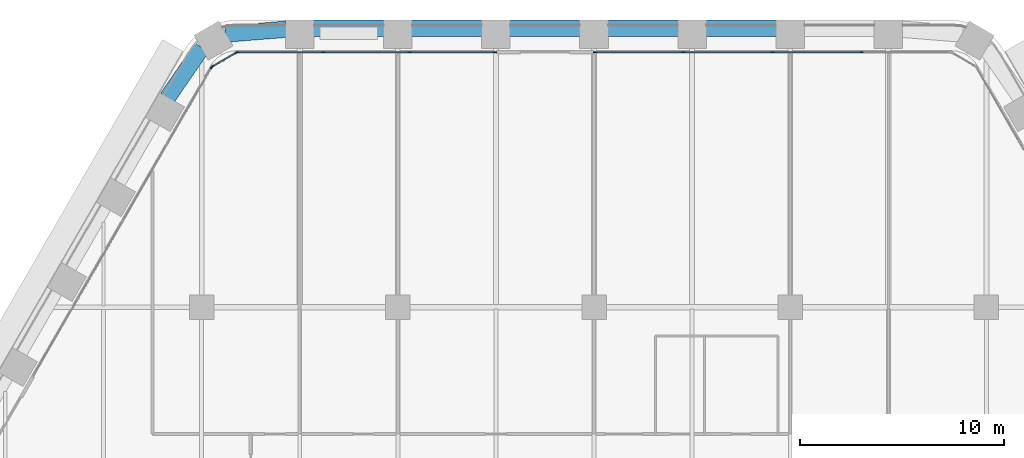
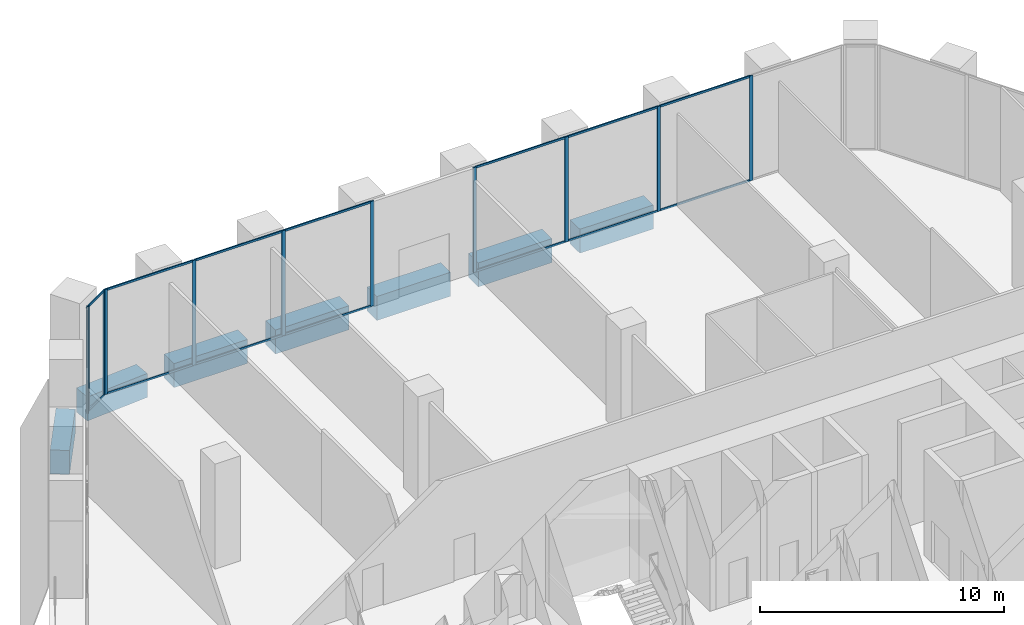
# One storey, part 13 of 27: 25 members, 7 beams, 4 elements without a shape of their own.
"""IFC4 building model written with IfcOpenShell, lengths in metres."""

from ifc_helpers import new_model, si_unit, direction, frame, origin, origin_2d, place, context, subcontext, project, spatial, rectangle, extrude, material, material_profile, profile_set, type_object, element, aggregate, save


model = new_model("IFC4")

# Units and contexts
model_context = context("Model", 3, precision=1e-05, world=origin(), true_north=direction((0.0, 1.0)))
body_context = subcontext(model_context, "Body", "Model", "MODEL_VIEW")
ifc_project = project(units=[si_unit("LENGTHUNIT", "METRE"), si_unit("AREAUNIT", "SQUARE_METRE"), si_unit("VOLUMEUNIT", "CUBIC_METRE"), si_unit("PLANEANGLEUNIT", "RADIAN"), si_unit("MASSUNIT", "GRAM", prefix="KILO")], contexts=[model_context])

# Site, building, storey
site_placement = place(None, origin())
site = spatial("IfcSite", under=ifc_project, at=site_placement, CompositionType="ELEMENT")
building_placement = place(site_placement, origin())
building = spatial("IfcBuilding", under=site, at=building_placement, Name="Kolab Exchange Tower", CompositionType="ELEMENT")
storey_placement = place(building_placement, frame((0.0, 0.0, 22.39990234375)))
storey = spatial("IfcBuildingStorey", under=building, at=storey_placement, Name="L04", CompositionType="ELEMENT", Elevation=22.39990234375)

# Beams
ifc_material_1 = material(Name="Concrete C80/95", Category="concrete")
ifc_material_profile_1 = material_profile(ifc_material_1, rectangle(XDim=0.800048828125, YDim=1.199951171875, at=origin_2d()), Name="RC800X1200")
ifc_profile_set_1 = profile_set([ifc_material_profile_1], Name="Concrete C80/95")
beam_type = type_object("IfcBeamType", Name="SPANDREL BEAM 800X1200 C80/95", PredefinedType="BEAM", material=ifc_profile_set_1)
beam_1_placement = place(storey_placement, frame((-18.03515625, 32.5654296875, -0.849853515625), z_axis=(0.996833978278, 0.07951112973, 0.0), x_axis=(-0.07951112973, 0.996833978278, 0.0)))
element("IfcBeam", 1, at=beam_1_placement, inside=storey, type_object=beam_type, Name="beam/L04/sp/F1-01", PredefinedType="BEAM", context=body_context, shape_type="SweptSolid", body=[
    extrude(rectangle(XDim=0.800048828125, YDim=1.199951171875, at=origin_2d()), origin(), (0.0, 0.0, 1.0), 2.984619140625),
])
for number, where, z_axis, x_axis, name in (
    (2, (-13.739990234375, 32.85546875, -0.849853515625), (1.0, 0.0, 0.0), (0.0, 1.0, 0.0), "beam/L04/sp/F1-02"),
    (3, (-8.93994140625, 32.85546875, -0.849853515625), (1.0, 0.0, 0.0), (0.0, 1.0, 0.0), "beam/L04/sp/F1-03"),
    (4, (-4.139892578125, 32.85546875, -0.849853515625), (1.0, 0.0, 0.0), (0.0, 1.0, 0.0), "beam/L04/sp/F1-04"),
    (5, (0.659912109375, 32.85546875, -0.849853515625), (1.0, 0.0, 0.0), (0.0, 1.0, 0.0), "beam/L04/sp/F1-05"),
    (6, (5.4599609375, 32.85546875, -0.849853515625), (1.0, 0.0, 0.0), (0.0, 1.0, 0.0), "beam/L04/sp/F1-06"),
):
    element("IfcBeam", number, at=place(storey_placement, frame(where, z_axis=z_axis, x_axis=x_axis)), inside=storey, type_object=beam_type, Name=name, PredefinedType="BEAM", context=body_context, shape_type="SweptSolid", body=[
        extrude(rectangle(XDim=0.800048828125, YDim=1.199951171875, at=origin_2d()), origin(), (0.0, 0.0, 1.0), 3.47998046875),
    ])
beam_2_placement = place(storey_placement, frame((-20.8779296875, 29.44384765625, -0.849853515625), z_axis=(0.567247290755, 0.823547516013, 0.0), x_axis=(-0.823547516013, 0.567247290755, 0.0)))
element("IfcBeam", 7, at=beam_2_placement, inside=storey, type_object=beam_type, Name="beam/L04/sp/F6-08", PredefinedType="BEAM", context=body_context, shape_type="SweptSolid", body=[
    extrude(rectangle(XDim=0.800048828125, YDim=1.199951171875, at=origin_2d()), origin(), (0.0, 0.0, 1.0), 2.984375),
])

# Curtain wall, members
ifc_material_2 = material(Name="Aluminium EN AW-6063 T6", Category="aluminium")
curtain_wall_type = type_object("IfcCurtainWallType", Name="UNITISED LOW ZONE CURTAIN WALL", PredefinedType="NOTDEFINED", material=ifc_material_2)
curtain_wall_1_placement = place(storey_placement, origin())
curtain_wall_1 = element("IfcCurtainWall", 8, at=curtain_wall_1_placement, inside=storey, type_object=curtain_wall_type, Name="cw/L04/F1-1", PredefinedType="NOTDEFINED")
ifc_material_profile_2 = material_profile(ifc_material_2, rectangle(XDim=0.06005859375, YDim=0.159912109375, at=origin_2d()), Name="RECT 60X160")
ifc_profile_set_2 = profile_set([ifc_material_profile_2], Name="Aluminium EN AW-6063 T6")
member_type_1 = type_object("IfcMemberType", Name="UNITISED LOW ZONE MULLION 60 X 160", PredefinedType="MULLION", material=ifc_profile_set_2)
member_1_placement = place(storey_placement, frame((-17.43798828125, 31.67529296875, 0.0), z_axis=(0.0, 0.0, 1.0), x_axis=(0.0, 1.0, 0.0)))
member_1 = element("IfcMember", 9, at=member_1_placement, type_object=member_type_1, Name="CW1 mullion 1", PredefinedType="MULLION", context=body_context, shape_type="SweptSolid", body=[
    extrude(rectangle(XDim=0.06005859375, YDim=0.159912109375, at=origin_2d()), origin(), (0.0, 0.0, 1.0), 5.25),
])
member_2_placement = place(storey_placement, frame((-13.245361328125, 31.67529296875, 0.0), z_axis=(0.0, 0.0, 1.0), x_axis=(0.0, 1.0, 0.0)))
member_2 = element("IfcMember", 10, at=member_2_placement, type_object=member_type_1, Name="CW1 mullion 2", PredefinedType="MULLION", context=body_context, shape_type="SweptSolid", body=[
    extrude(rectangle(XDim=0.06005859375, YDim=0.159912109375, at=origin_2d()), origin(), (0.0, 0.0, 1.0), 5.25),
])
member_3_placement = place(storey_placement, frame((-9.022705078125, 31.67529296875, 0.0), z_axis=(0.0, 0.0, 1.0), x_axis=(0.0, 1.0, 0.0)))
member_3 = element("IfcMember", 11, at=member_3_placement, type_object=member_type_1, Name="CW1 mullion 3", PredefinedType="MULLION", context=body_context, shape_type="SweptSolid", body=[
    extrude(rectangle(XDim=0.06005859375, YDim=0.159912109375, at=origin_2d()), origin(), (0.0, 0.0, 1.0), 5.25),
])
member_4_placement = place(storey_placement, frame((-4.830078125, 31.67529296875, 0.0), z_axis=(0.0, 0.0, 1.0), x_axis=(0.0, 1.0, 0.0)))
member_4 = element("IfcMember", 12, at=member_4_placement, type_object=member_type_1, Name="CW1 mullion 4", PredefinedType="MULLION", context=body_context, shape_type="SweptSolid", body=[
    extrude(rectangle(XDim=0.06005859375, YDim=0.159912109375, at=origin_2d()), origin(), (0.0, 0.0, 1.0), 5.25),
])

curtain_wall_2_placement = place(storey_placement, origin())
curtain_wall_2 = element("IfcCurtainWall", 13, at=curtain_wall_2_placement, inside=storey, type_object=curtain_wall_type, Name="cw/L04/F1-2", PredefinedType="NOTDEFINED")
member_5_placement = place(storey_placement, frame((0.030029296875, 31.67529296875, 0.0), z_axis=(0.0, 0.0, 1.0), x_axis=(0.0, 1.0, 0.0)))
member_5 = element("IfcMember", 14, at=member_5_placement, type_object=member_type_1, Name="CW1 mullion 1", PredefinedType="MULLION", context=body_context, shape_type="SweptSolid", body=[
    extrude(rectangle(XDim=0.06005859375, YDim=0.159912109375, at=origin_2d()), origin(), (0.0, 0.0, 1.0), 5.25),
])
member_6_placement = place(storey_placement, frame((4.366943359375, 31.67529296875, 0.0), z_axis=(0.0, 0.0, 1.0), x_axis=(0.0, 1.0, 0.0)))
member_6 = element("IfcMember", 15, at=member_6_placement, type_object=member_type_1, Name="CW1 mullion 2", PredefinedType="MULLION", context=body_context, shape_type="SweptSolid", body=[
    extrude(rectangle(XDim=0.06005859375, YDim=0.159912109375, at=origin_2d()), origin(), (0.0, 0.0, 1.0), 5.25),
])
member_7_placement = place(storey_placement, frame((8.73388671875, 31.67529296875, 0.0), z_axis=(0.0, 0.0, 1.0), x_axis=(0.0, 1.0, 0.0)))
member_7 = element("IfcMember", 16, at=member_7_placement, type_object=member_type_1, Name="CW1 mullion 3", PredefinedType="MULLION", context=body_context, shape_type="SweptSolid", body=[
    extrude(rectangle(XDim=0.06005859375, YDim=0.159912109375, at=origin_2d()), origin(), (0.0, 0.0, 1.0), 5.25),
])
member_8_placement = place(storey_placement, frame((13.10107421875, 31.67529296875, 0.0), z_axis=(0.0, 0.0, 1.0), x_axis=(0.0, 1.0, 0.0)))
member_8 = element("IfcMember", 17, at=member_8_placement, type_object=member_type_1, Name="CW1 mullion 4", PredefinedType="MULLION", context=body_context, shape_type="SweptSolid", body=[
    extrude(rectangle(XDim=0.06005859375, YDim=0.159912109375, at=origin_2d()), origin(), (0.0, 0.0, 1.0), 5.25),
])

# Curtain wall, member
curtain_wall_3_placement = place(storey_placement, origin())
curtain_wall_3 = element("IfcCurtainWall", 18, at=curtain_wall_3_placement, inside=storey, type_object=curtain_wall_type, Name="cw/L04/F6-2", PredefinedType="NOTDEFINED")
member_9_placement = place(storey_placement, frame((-18.712646484375, 30.939453125, 0.0), z_axis=(0.0, 0.0, 1.0), x_axis=(-0.866025397318, 0.5000000112, 0.0)))
member_9 = element("IfcMember", 19, at=member_9_placement, type_object=member_type_1, Name="CW1 mullion 5", PredefinedType="MULLION", context=body_context, shape_type="SweptSolid", body=[
    extrude(rectangle(XDim=0.06005859375, YDim=0.159912109375, at=origin_2d()), origin(), (0.0, 0.0, 1.0), 5.25),
])
aggregate(curtain_wall_3, [member_9])

# Curtain wall, members
curtain_wall_4_placement = place(storey_placement, origin())
curtain_wall_4 = element("IfcCurtainWall", 20, at=curtain_wall_4_placement, inside=storey, type_object=curtain_wall_type, Name="cw/L04/F6F1-corner", PredefinedType="NOTDEFINED")
member_10_placement = place(storey_placement, frame((-18.671630859375, 30.98046875, 0.0), z_axis=(0.0, 0.0, 1.0), x_axis=(-0.50000002237, 0.866025390869, 0.0)))
member_10 = element("IfcMember", 21, at=member_10_placement, type_object=member_type_1, Name="CW1 mullion 1", PredefinedType="MULLION", context=body_context, shape_type="SweptSolid", body=[
    extrude(rectangle(XDim=0.06005859375, YDim=0.159912109375, at=origin_2d()), origin(), (0.0, 0.0, 1.0), 5.25),
])
member_11_placement = place(storey_placement, frame((-17.493896484375, 31.660400390625, 0.0), z_axis=(0.0, 0.0, 1.0), x_axis=(-0.50000002237, 0.866025390869, 0.0)))
member_11 = element("IfcMember", 22, at=member_11_placement, type_object=member_type_1, Name="CW1 mullion 2", PredefinedType="MULLION", context=body_context, shape_type="SweptSolid", body=[
    extrude(rectangle(XDim=0.06005859375, YDim=0.159912109375, at=origin_2d()), origin(), (0.0, 0.0, 1.0), 5.25),
])

# Member
ifc_material_profile_3 = material_profile(ifc_material_2, rectangle(XDim=0.06005859375, YDim=0.10009765625, at=origin_2d()), Name="RECT 60X100")
ifc_profile_set_3 = profile_set([ifc_material_profile_3], Name="Aluminium EN AW-6063 T6")
member_type_2 = type_object("IfcMemberType", Name="UNITISED LOW ZONE TRANSOM 60 X 100", PredefinedType="USERDEFINED", material=ifc_profile_set_3)
member_12_placement = place(storey_placement, frame((-17.407958984375, 31.67529296875, 0.030029296875), z_axis=(1.0, 0.0, 0.0), x_axis=(0.0, 1.0, 0.0)))
member_12 = element("IfcMember", 23, at=member_12_placement, type_object=member_type_2, Name="CW1 transom 1.1", ObjectType="TRANSOM", PredefinedType="USERDEFINED", context=body_context, shape_type="SweptSolid", body=[
    extrude(rectangle(XDim=0.06005859375, YDim=0.10009765625, at=origin_2d()), origin(), (0.0, 0.0, 1.0), 4.132568359375),
])

member_13_placement = place(storey_placement, frame((-17.407958984375, 31.67529296875, 5.22021484375), z_axis=(1.0, 0.0, 0.0), x_axis=(0.0, 1.0, 0.0)))
member_13 = element("IfcMember", 24, at=member_13_placement, type_object=member_type_2, Name="CW1 transom 1.2", ObjectType="TRANSOM", PredefinedType="USERDEFINED", context=body_context, shape_type="SweptSolid", body=[
    extrude(rectangle(XDim=0.06005859375, YDim=0.10009765625, at=origin_2d()), origin(), (0.0, 0.0, 1.0), 4.132568359375),
])

member_14_placement = place(storey_placement, frame((-13.21533203125, 31.67529296875, 0.030029296875), z_axis=(1.0, 0.0, 0.0), x_axis=(0.0, 1.0, 0.0)))
member_14 = element("IfcMember", 25, at=member_14_placement, type_object=member_type_2, Name="CW1 transom 2.1", ObjectType="TRANSOM", PredefinedType="USERDEFINED", context=body_context, shape_type="SweptSolid", body=[
    extrude(rectangle(XDim=0.06005859375, YDim=0.10009765625, at=origin_2d()), origin(), (0.0, 0.0, 1.0), 4.16259765625),
])

member_15_placement = place(storey_placement, frame((-13.21533203125, 31.67529296875, 5.22021484375), z_axis=(1.0, 0.0, 0.0), x_axis=(0.0, 1.0, 0.0)))
member_15 = element("IfcMember", 26, at=member_15_placement, type_object=member_type_2, Name="CW1 transom 2.2", ObjectType="TRANSOM", PredefinedType="USERDEFINED", context=body_context, shape_type="SweptSolid", body=[
    extrude(rectangle(XDim=0.06005859375, YDim=0.10009765625, at=origin_2d()), origin(), (0.0, 0.0, 1.0), 4.16259765625),
])

member_16_placement = place(storey_placement, frame((-8.99267578125, 31.67529296875, 0.030029296875), z_axis=(1.0, 0.0, 0.0), x_axis=(0.0, 1.0, 0.0)))
member_16 = element("IfcMember", 27, at=member_16_placement, type_object=member_type_2, Name="CW1 transom 3.1", ObjectType="TRANSOM", PredefinedType="USERDEFINED", context=body_context, shape_type="SweptSolid", body=[
    extrude(rectangle(XDim=0.06005859375, YDim=0.10009765625, at=origin_2d()), origin(), (0.0, 0.0, 1.0), 4.132568359375),
])

member_17_placement = place(storey_placement, frame((-8.99267578125, 31.67529296875, 5.22021484375), z_axis=(1.0, 0.0, 0.0), x_axis=(0.0, 1.0, 0.0)))
member_17 = element("IfcMember", 28, at=member_17_placement, type_object=member_type_2, Name="CW1 transom 3.2", ObjectType="TRANSOM", PredefinedType="USERDEFINED", context=body_context, shape_type="SweptSolid", body=[
    extrude(rectangle(XDim=0.06005859375, YDim=0.10009765625, at=origin_2d()), origin(), (0.0, 0.0, 1.0), 4.132568359375),
])

aggregate(curtain_wall_1, [member_1, member_2, member_3, member_4, member_12, member_13, member_14, member_15, member_16, member_17])

member_18_placement = place(storey_placement, frame((0.06005859375, 31.67529296875, 0.030029296875), z_axis=(1.0, 0.0, 0.0), x_axis=(0.0, 1.0, 0.0)))
member_18 = element("IfcMember", 29, at=member_18_placement, type_object=member_type_2, Name="CW1 transom 1.1", ObjectType="TRANSOM", PredefinedType="USERDEFINED", context=body_context, shape_type="SweptSolid", body=[
    extrude(rectangle(XDim=0.06005859375, YDim=0.10009765625, at=origin_2d()), origin(), (0.0, 0.0, 1.0), 4.27685546875),
])

member_19_placement = place(storey_placement, frame((0.06005859375, 31.67529296875, 5.22021484375), z_axis=(1.0, 0.0, 0.0), x_axis=(0.0, 1.0, 0.0)))
member_19 = element("IfcMember", 30, at=member_19_placement, type_object=member_type_2, Name="CW1 transom 1.2", ObjectType="TRANSOM", PredefinedType="USERDEFINED", context=body_context, shape_type="SweptSolid", body=[
    extrude(rectangle(XDim=0.06005859375, YDim=0.10009765625, at=origin_2d()), origin(), (0.0, 0.0, 1.0), 4.27685546875),
])

member_20_placement = place(storey_placement, frame((4.39697265625, 31.67529296875, 0.030029296875), z_axis=(1.0, 0.0, 0.0), x_axis=(0.0, 1.0, 0.0)))
member_20 = element("IfcMember", 31, at=member_20_placement, type_object=member_type_2, Name="CW1 transom 2.1", ObjectType="TRANSOM", PredefinedType="USERDEFINED", context=body_context, shape_type="SweptSolid", body=[
    extrude(rectangle(XDim=0.06005859375, YDim=0.10009765625, at=origin_2d()), origin(), (0.0, 0.0, 1.0), 4.306884765625),
])

member_21_placement = place(storey_placement, frame((4.39697265625, 31.67529296875, 5.22021484375), z_axis=(1.0, 0.0, 0.0), x_axis=(0.0, 1.0, 0.0)))
member_21 = element("IfcMember", 32, at=member_21_placement, type_object=member_type_2, Name="CW1 transom 2.2", ObjectType="TRANSOM", PredefinedType="USERDEFINED", context=body_context, shape_type="SweptSolid", body=[
    extrude(rectangle(XDim=0.06005859375, YDim=0.10009765625, at=origin_2d()), origin(), (0.0, 0.0, 1.0), 4.306884765625),
])

member_22_placement = place(storey_placement, frame((8.763916015625, 31.67529296875, 0.030029296875), z_axis=(1.0, 0.0, 0.0), x_axis=(0.0, 1.0, 0.0)))
member_22 = element("IfcMember", 33, at=member_22_placement, type_object=member_type_2, Name="CW1 transom 3.1", ObjectType="TRANSOM", PredefinedType="USERDEFINED", context=body_context, shape_type="SweptSolid", body=[
    extrude(rectangle(XDim=0.06005859375, YDim=0.10009765625, at=origin_2d()), origin(), (0.0, 0.0, 1.0), 4.30712890625),
])

member_23_placement = place(storey_placement, frame((8.763916015625, 31.67529296875, 5.22021484375), z_axis=(1.0, 0.0, 0.0), x_axis=(0.0, 1.0, 0.0)))
member_23 = element("IfcMember", 34, at=member_23_placement, type_object=member_type_2, Name="CW1 transom 3.2", ObjectType="TRANSOM", PredefinedType="USERDEFINED", context=body_context, shape_type="SweptSolid", body=[
    extrude(rectangle(XDim=0.06005859375, YDim=0.10009765625, at=origin_2d()), origin(), (0.0, 0.0, 1.0), 4.30712890625),
])

aggregate(curtain_wall_2, [member_5, member_6, member_7, member_8, member_18, member_19, member_20, member_21, member_22, member_23])

member_24_placement = place(storey_placement, frame((-18.645751953125, 30.995361328125, 0.030029296875), z_axis=(0.86603858612, 0.49997716683, 0.0), x_axis=(-0.49997716683, 0.86603858612, 0.0)))
member_24 = element("IfcMember", 35, at=member_24_placement, type_object=member_type_2, Name="CW1 transom 1.1", ObjectType="TRANSOM", PredefinedType="USERDEFINED", context=body_context, shape_type="SweptSolid", body=[
    extrude(rectangle(XDim=0.06005859375, YDim=0.10009765625, at=origin_2d()), origin(), (0.0, 0.0, 1.0), 1.2998046875),
])

member_25_placement = place(storey_placement, frame((-18.645751953125, 30.995361328125, 5.22021484375), z_axis=(0.86603858612, 0.49997716683, 0.0), x_axis=(-0.49997716683, 0.86603858612, 0.0)))
member_25 = element("IfcMember", 36, at=member_25_placement, type_object=member_type_2, Name="CW1 transom 1.2", ObjectType="TRANSOM", PredefinedType="USERDEFINED", context=body_context, shape_type="SweptSolid", body=[
    extrude(rectangle(XDim=0.06005859375, YDim=0.10009765625, at=origin_2d()), origin(), (0.0, 0.0, 1.0), 1.2998046875),
])

aggregate(curtain_wall_4, [member_10, member_11, member_24, member_25])

save(model, "model.ifc")
